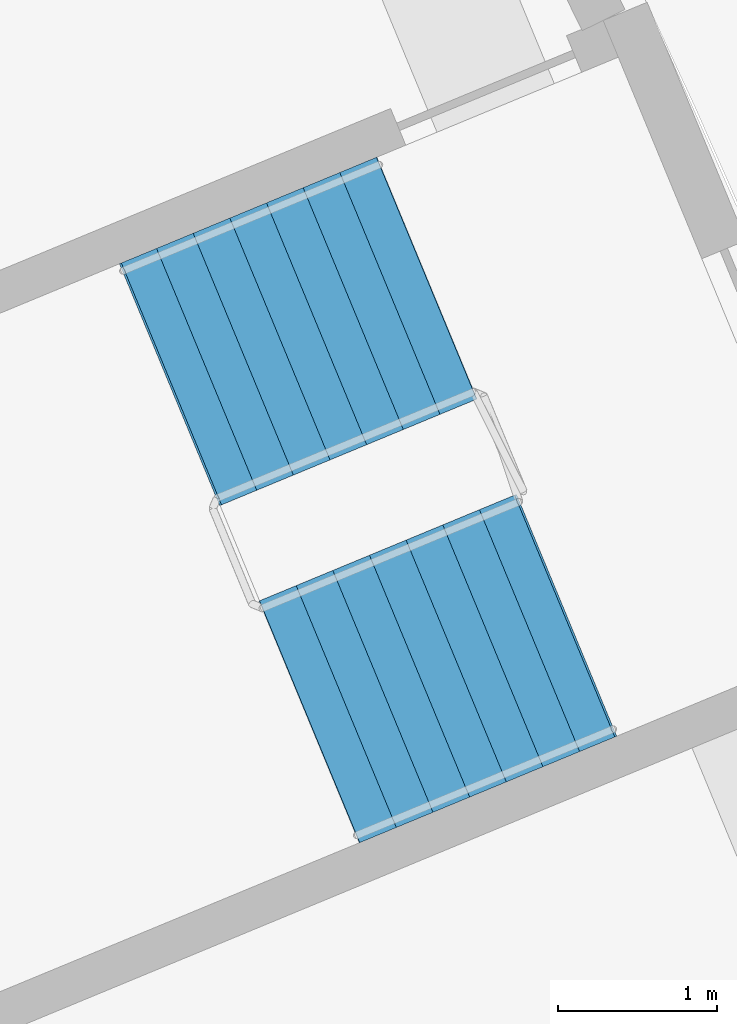
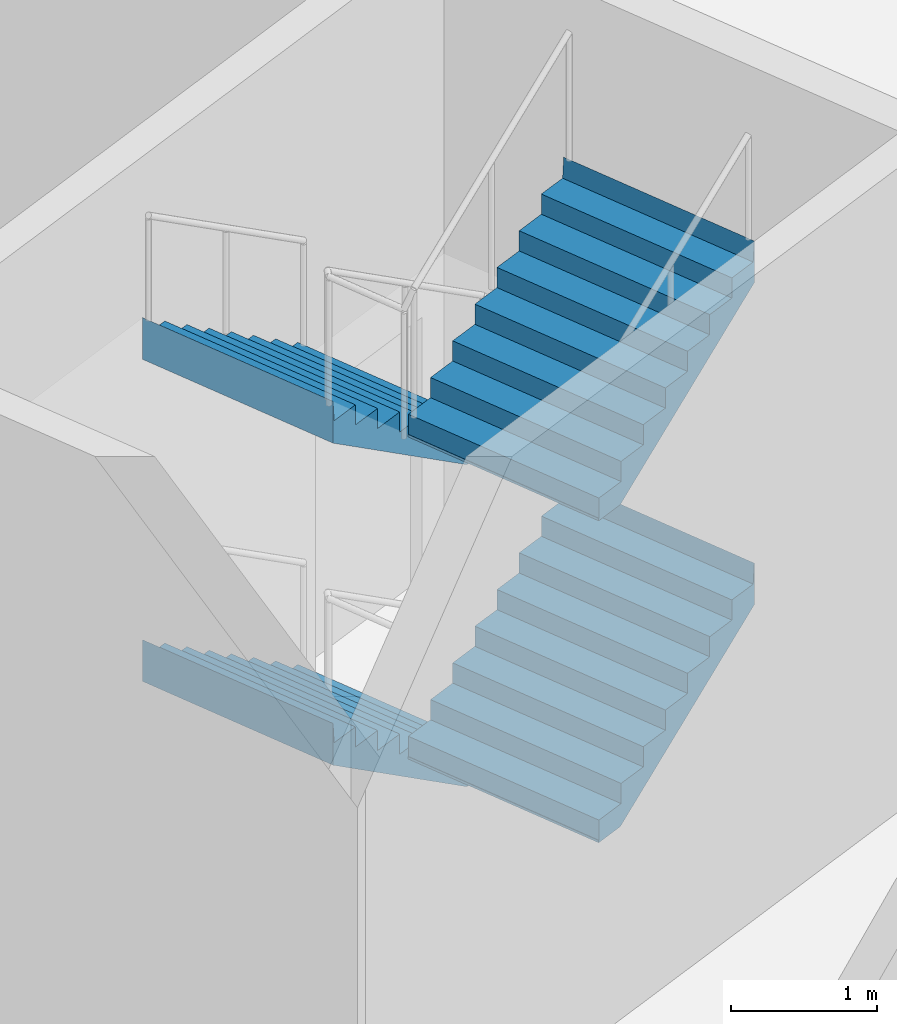
# One storey, part 37 of 41: 4 stair flights, 1 element without a shape of its own.
"""IFC4 building model written with IfcOpenShell, lengths in metres."""

from ifc_helpers import new_model, si_unit, direction, frame, origin, place, context, subcontext, project, spatial, triangles, material, type_object, element, aggregate, save


model = new_model("IFC4")

# Units and contexts
model_context = context("Model", 3, precision=1e-05, world=origin(), true_north=direction((0.0, 1.0)))
body_context = subcontext(model_context, "Body", "Model", "MODEL_VIEW")
ifc_project = project(units=[si_unit("LENGTHUNIT", "METRE"), si_unit("AREAUNIT", "SQUARE_METRE"), si_unit("VOLUMEUNIT", "CUBIC_METRE"), si_unit("PLANEANGLEUNIT", "RADIAN"), si_unit("MASSUNIT", "GRAM", prefix="KILO")], contexts=[model_context])

# Site, building, storey
site_placement = place(None, origin())
site = spatial("IfcSite", under=ifc_project, at=site_placement, CompositionType="ELEMENT")
building_placement = place(site_placement, origin())
building = spatial("IfcBuilding", under=site, at=building_placement, Name="Maasbend Ring Residences", CompositionType="ELEMENT")
storey_placement = place(building_placement, origin())
storey = spatial("IfcBuildingStorey", under=building, at=storey_placement, Name="L00", CompositionType="ELEMENT", Elevation=0.0)

# Stair, stair flights
ifc_material_1 = material(Name="Concrete C40/50", Category="concrete")
stair_type = type_object("IfcStairType", Name="CORE STAIR 32 RISERS", PredefinedType="HALF_TURN_STAIR", material=ifc_material_1)
stair_placement = place(storey_placement, origin())
stair = element("IfcStair", 1, at=stair_placement, inside=storey, type_object=stair_type, Name="L00 Exit stair ST-P5", PredefinedType="HALF_TURN_STAIR")
ifc_material_2 = material(Name="Concrete C40/50", Category="concrete")
stair_flight_type = type_object("IfcStairFlightType", Name="CORE STAIR FLIGHT 1650", PredefinedType="STRAIGHT", material=ifc_material_2)
stair_flight_1_placement = place(storey_placement, frame((40.210693359375, 17.900634765625, 0.0), z_axis=(0.0, 0.0, 1.0), x_axis=(-0.923879532511, -0.382683432365, 0.0)))
stair_flight_1 = element("IfcStairFlight", 2, at=stair_flight_1_placement, type_object=stair_flight_type, Name="ST-P5 flight 1", NumberOfRisers=8, NumberOfTreads=7, PredefinedType="STRAIGHT", RiserHeight=0.16875, TreadLength=0.25, context=body_context, shape_type="Tessellation", body=[
    triangles([(0.2412109375, 0.824951171875, -0.02001953125), (1.7529296875, 0.824951171875, 1.00048828125), (1.7529296875, 0.824951171875, 1.35009765625), (1.739990234375, 0.824951171875, 1.18115234375), (1.5, 0.824951171875, 1.18115234375), (1.5, 0.824951171875, 1.012451171875), (1.25, 0.824951171875, 1.012451171875), (1.25, 0.824951171875, 0.84375), (1.0, 0.824951171875, 0.84375), (1.0, 0.824951171875, 0.675048828125), (0.75, 0.824951171875, 0.675048828125), (0.75, 0.824951171875, 0.50634765625), (0.5, 0.824951171875, 0.50634765625), (0.5, 0.824951171875, 0.33740234375), (0.25, 0.824951171875, 0.33740234375), (0.25, 0.824951171875, 0.168701171875), (0.0, 0.824951171875, 0.168701171875), (0.0, 0.824951171875, 0.0), (-0.0029296875, 0.824951171875, 0.0), (-0.0029296875, 0.824951171875, -0.02001953125), (0.2412109375, 0.41259765625, -0.02001953125), (1.7529296875, 0.41259765625, 1.00048828125), (1.7529296875, 0.41259765625, 1.35009765625), (1.739990234375, 0.41259765625, 1.18115234375), (1.5, 0.41259765625, 1.18115234375), (1.5, 0.41259765625, 1.012451171875), (1.25, 0.41259765625, 1.012451171875), (1.25, 0.41259765625, 0.84375), (1.0, 0.41259765625, 0.84375), (1.0, 0.41259765625, 0.675048828125), (0.75, 0.41259765625, 0.675048828125), (0.75, 0.41259765625, 0.50634765625), (0.5, 0.41259765625, 0.50634765625), (0.5, 0.41259765625, 0.33740234375), (0.25, 0.41259765625, 0.33740234375), (0.25, 0.41259765625, 0.168701171875), (0.0, 0.41259765625, 0.168701171875), (0.0, 0.41259765625, 0.0), (-0.0029296875, 0.41259765625, 0.0), (-0.0029296875, 0.41259765625, -0.02001953125), (0.2412109375, 0.0, -0.02001953125), (1.7529296875, 0.0, 1.00048828125), (1.7529296875, 0.0, 1.35009765625), (1.739990234375, 0.0, 1.18115234375), (1.5, 0.0, 1.18115234375), (1.5, 0.0, 1.012451171875), (1.25, 0.0, 1.012451171875), (1.25, 0.0, 0.84375), (1.0, 0.0, 0.84375), (1.0, 0.0, 0.675048828125), (0.75, 0.0, 0.675048828125), (0.75, 0.0, 0.50634765625), (0.5, 0.0, 0.50634765625), (0.5, 0.0, 0.33740234375), (0.25, 0.0, 0.33740234375), (0.25, 0.0, 0.168701171875), (0.0, 0.0, 0.168701171875), (0.0, 0.0, 0.0), (-0.0029296875, 0.0, 0.0), (-0.0029296875, 0.0, -0.02001953125), (0.2412109375, -0.41259765625, -0.02001953125), (1.7529296875, -0.41259765625, 1.00048828125), (1.7529296875, -0.41259765625, 1.35009765625), (1.739990234375, -0.41259765625, 1.18115234375), (1.5, -0.41259765625, 1.18115234375), (1.5, -0.41259765625, 1.012451171875), (1.25, -0.41259765625, 1.012451171875), (1.25, -0.41259765625, 0.84375), (1.0, -0.41259765625, 0.84375), (1.0, -0.41259765625, 0.675048828125), (0.75, -0.41259765625, 0.675048828125), (0.75, -0.41259765625, 0.50634765625), (0.5, -0.41259765625, 0.50634765625), (0.5, -0.41259765625, 0.33740234375), (0.25, -0.41259765625, 0.33740234375), (0.25, -0.41259765625, 0.168701171875), (0.0, -0.41259765625, 0.168701171875), (0.0, -0.41259765625, 0.0), (-0.0029296875, -0.41259765625, 0.0), (-0.0029296875, -0.41259765625, -0.02001953125), (0.2412109375, -0.824951171875, -0.02001953125), (1.7529296875, -0.824951171875, 1.00048828125), (1.7529296875, -0.824951171875, 1.35009765625), (1.739990234375, -0.824951171875, 1.18115234375), (1.5, -0.824951171875, 1.18115234375), (1.5, -0.824951171875, 1.012451171875), (1.25, -0.824951171875, 1.012451171875), (1.25, -0.824951171875, 0.84375), (1.0, -0.824951171875, 0.84375), (1.0, -0.824951171875, 0.675048828125), (0.75, -0.824951171875, 0.675048828125), (0.75, -0.824951171875, 0.50634765625), (0.5, -0.824951171875, 0.50634765625), (0.5, -0.824951171875, 0.33740234375), (0.25, -0.824951171875, 0.33740234375), (0.25, -0.824951171875, 0.168701171875), (0.0, -0.824951171875, 0.168701171875), (0.0, -0.824951171875, 0.0), (-0.0029296875, -0.824951171875, 0.0), (-0.0029296875, -0.824951171875, -0.02001953125)], [[1, 2, 22], [1, 22, 21], [21, 22, 42], [21, 42, 41], [41, 42, 62], [41, 62, 61], [61, 62, 82], [61, 82, 81], [2, 3, 23], [2, 23, 22], [22, 23, 43], [22, 43, 42], [42, 43, 63], [42, 63, 62], [62, 63, 83], [62, 83, 82], [3, 4, 24], [3, 24, 23], [23, 24, 44], [23, 44, 43], [43, 44, 64], [43, 64, 63], [63, 64, 84], [63, 84, 83], [4, 5, 25], [4, 25, 24], [24, 25, 45], [24, 45, 44], [44, 45, 65], [44, 65, 64], [64, 65, 85], [64, 85, 84], [5, 6, 26], [5, 26, 25], [25, 26, 46], [25, 46, 45], [45, 46, 66], [45, 66, 65], [65, 66, 86], [65, 86, 85], [6, 7, 27], [6, 27, 26], [26, 27, 47], [26, 47, 46], [46, 47, 67], [46, 67, 66], [66, 67, 87], [66, 87, 86], [7, 8, 28], [7, 28, 27], [27, 28, 48], [27, 48, 47], [47, 48, 68], [47, 68, 67], [67, 68, 88], [67, 88, 87], [8, 9, 29], [8, 29, 28], [28, 29, 49], [28, 49, 48], [48, 49, 69], [48, 69, 68], [68, 69, 89], [68, 89, 88], [9, 10, 30], [9, 30, 29], [29, 30, 50], [29, 50, 49], [49, 50, 70], [49, 70, 69], [69, 70, 90], [69, 90, 89], [10, 11, 31], [10, 31, 30], [30, 31, 51], [30, 51, 50], [50, 51, 71], [50, 71, 70], [70, 71, 91], [70, 91, 90], [11, 12, 32], [11, 32, 31], [31, 32, 52], [31, 52, 51], [51, 52, 72], [51, 72, 71], [71, 72, 92], [71, 92, 91], [12, 13, 33], [12, 33, 32], [32, 33, 53], [32, 53, 52], [52, 53, 73], [52, 73, 72], [72, 73, 93], [72, 93, 92], [13, 14, 34], [13, 34, 33], [33, 34, 54], [33, 54, 53], [53, 54, 74], [53, 74, 73], [73, 74, 94], [73, 94, 93], [14, 15, 35], [14, 35, 34], [34, 35, 55], [34, 55, 54], [54, 55, 75], [54, 75, 74], [74, 75, 95], [74, 95, 94], [15, 16, 36], [15, 36, 35], [35, 36, 56], [35, 56, 55], [55, 56, 76], [55, 76, 75], [75, 76, 96], [75, 96, 95], [16, 17, 37], [16, 37, 36], [36, 37, 57], [36, 57, 56], [56, 57, 77], [56, 77, 76], [76, 77, 97], [76, 97, 96], [17, 18, 38], [17, 38, 37], [37, 38, 58], [37, 58, 57], [57, 58, 78], [57, 78, 77], [77, 78, 98], [77, 98, 97], [18, 19, 39], [18, 39, 38], [38, 39, 59], [38, 59, 58], [58, 59, 79], [58, 79, 78], [78, 79, 99], [78, 99, 98], [19, 20, 40], [19, 40, 39], [39, 40, 60], [39, 60, 59], [59, 60, 80], [59, 80, 79], [79, 80, 100], [79, 100, 99], [20, 1, 21], [20, 21, 40], [40, 21, 41], [40, 41, 60], [60, 41, 61], [60, 61, 80], [80, 61, 81], [80, 81, 100], [20, 2, 1], [2, 4, 3], [2, 5, 4], [2, 6, 5], [20, 6, 2], [6, 8, 7], [20, 8, 6], [8, 10, 9], [20, 10, 8], [10, 12, 11], [20, 12, 10], [12, 14, 13], [20, 14, 12], [14, 16, 15], [20, 16, 14], [16, 18, 17], [20, 18, 16], [18, 20, 19], [100, 81, 82], [82, 83, 84], [82, 84, 85], [82, 85, 86], [100, 82, 86], [86, 87, 88], [100, 86, 88], [88, 89, 90], [100, 88, 90], [90, 91, 92], [100, 90, 92], [92, 93, 94], [100, 92, 94], [94, 95, 96], [100, 94, 96], [96, 97, 98], [100, 96, 98], [98, 99, 100]], closed=True),
])
stair_flight_2_placement = place(storey_placement, frame((39.473876953125, 15.10595703125, 1.35009765625), z_axis=(0.0, 0.0, 1.0), x_axis=(0.923879532511, 0.382683432365, 0.0)))
stair_flight_2 = element("IfcStairFlight", 3, at=stair_flight_2_placement, type_object=stair_flight_type, Name="ST-P5 flight 2", NumberOfRisers=8, NumberOfTreads=7, PredefinedType="STRAIGHT", RiserHeight=0.16875, TreadLength=0.25, context=body_context, shape_type="Tessellation", body=[
    triangles([(0.2412109375, 0.824951171875, -0.02001953125), (1.7529296875, 0.824951171875, 1.00048828125), (1.7529296875, 0.824951171875, 1.35009765625), (1.739990234375, 0.824951171875, 1.18115234375), (1.5, 0.824951171875, 1.18115234375), (1.5, 0.824951171875, 1.012451171875), (1.25, 0.824951171875, 1.012451171875), (1.25, 0.824951171875, 0.84375), (1.0, 0.824951171875, 0.84375), (1.0, 0.824951171875, 0.675048828125), (0.75, 0.824951171875, 0.675048828125), (0.75, 0.824951171875, 0.50634765625), (0.5, 0.824951171875, 0.50634765625), (0.5, 0.824951171875, 0.33740234375), (0.25, 0.824951171875, 0.33740234375), (0.25, 0.824951171875, 0.168701171875), (0.0, 0.824951171875, 0.168701171875), (0.0, 0.824951171875, 0.0), (-0.0029296875, 0.824951171875, 0.0), (-0.0029296875, 0.824951171875, -0.02001953125), (0.2412109375, 0.41259765625, -0.02001953125), (1.7529296875, 0.41259765625, 1.00048828125), (1.7529296875, 0.41259765625, 1.35009765625), (1.739990234375, 0.41259765625, 1.18115234375), (1.5, 0.41259765625, 1.18115234375), (1.5, 0.41259765625, 1.012451171875), (1.25, 0.41259765625, 1.012451171875), (1.25, 0.41259765625, 0.84375), (1.0, 0.41259765625, 0.84375), (1.0, 0.41259765625, 0.675048828125), (0.75, 0.41259765625, 0.675048828125), (0.75, 0.41259765625, 0.50634765625), (0.5, 0.41259765625, 0.50634765625), (0.5, 0.41259765625, 0.33740234375), (0.25, 0.41259765625, 0.33740234375), (0.25, 0.41259765625, 0.168701171875), (0.0, 0.41259765625, 0.168701171875), (0.0, 0.41259765625, 0.0), (-0.0029296875, 0.41259765625, 0.0), (-0.0029296875, 0.41259765625, -0.02001953125), (0.2412109375, 0.0, -0.02001953125), (1.7529296875, 0.0, 1.00048828125), (1.7529296875, 0.0, 1.35009765625), (1.739990234375, 0.0, 1.18115234375), (1.5, 0.0, 1.18115234375), (1.5, 0.0, 1.012451171875), (1.25, 0.0, 1.012451171875), (1.25, 0.0, 0.84375), (1.0, 0.0, 0.84375), (1.0, 0.0, 0.675048828125), (0.75, 0.0, 0.675048828125), (0.75, 0.0, 0.50634765625), (0.5, 0.0, 0.50634765625), (0.5, 0.0, 0.33740234375), (0.25, 0.0, 0.33740234375), (0.25, 0.0, 0.168701171875), (0.0, 0.0, 0.168701171875), (0.0, 0.0, 0.0), (-0.0029296875, 0.0, 0.0), (-0.0029296875, 0.0, -0.02001953125), (0.2412109375, -0.41259765625, -0.02001953125), (1.7529296875, -0.41259765625, 1.00048828125), (1.7529296875, -0.41259765625, 1.35009765625), (1.739990234375, -0.41259765625, 1.18115234375), (1.5, -0.41259765625, 1.18115234375), (1.5, -0.41259765625, 1.012451171875), (1.25, -0.41259765625, 1.012451171875), (1.25, -0.41259765625, 0.84375), (1.0, -0.41259765625, 0.84375), (1.0, -0.41259765625, 0.675048828125), (0.75, -0.41259765625, 0.675048828125), (0.75, -0.41259765625, 0.50634765625), (0.5, -0.41259765625, 0.50634765625), (0.5, -0.41259765625, 0.33740234375), (0.25, -0.41259765625, 0.33740234375), (0.25, -0.41259765625, 0.168701171875), (0.0, -0.41259765625, 0.168701171875), (0.0, -0.41259765625, 0.0), (-0.0029296875, -0.41259765625, 0.0), (-0.0029296875, -0.41259765625, -0.02001953125), (0.2412109375, -0.824951171875, -0.02001953125), (1.7529296875, -0.824951171875, 1.00048828125), (1.7529296875, -0.824951171875, 1.35009765625), (1.739990234375, -0.824951171875, 1.18115234375), (1.5, -0.824951171875, 1.18115234375), (1.5, -0.824951171875, 1.012451171875), (1.25, -0.824951171875, 1.012451171875), (1.25, -0.824951171875, 0.84375), (1.0, -0.824951171875, 0.84375), (1.0, -0.824951171875, 0.675048828125), (0.75, -0.824951171875, 0.675048828125), (0.75, -0.824951171875, 0.50634765625), (0.5, -0.824951171875, 0.50634765625), (0.5, -0.824951171875, 0.33740234375), (0.25, -0.824951171875, 0.33740234375), (0.25, -0.824951171875, 0.168701171875), (0.0, -0.824951171875, 0.168701171875), (0.0, -0.824951171875, 0.0), (-0.0029296875, -0.824951171875, 0.0), (-0.0029296875, -0.824951171875, -0.02001953125)], [[1, 2, 22], [1, 22, 21], [21, 22, 42], [21, 42, 41], [41, 42, 62], [41, 62, 61], [61, 62, 82], [61, 82, 81], [2, 3, 23], [2, 23, 22], [22, 23, 43], [22, 43, 42], [42, 43, 63], [42, 63, 62], [62, 63, 83], [62, 83, 82], [3, 4, 24], [3, 24, 23], [23, 24, 44], [23, 44, 43], [43, 44, 64], [43, 64, 63], [63, 64, 84], [63, 84, 83], [4, 5, 25], [4, 25, 24], [24, 25, 45], [24, 45, 44], [44, 45, 65], [44, 65, 64], [64, 65, 85], [64, 85, 84], [5, 6, 26], [5, 26, 25], [25, 26, 46], [25, 46, 45], [45, 46, 66], [45, 66, 65], [65, 66, 86], [65, 86, 85], [6, 7, 27], [6, 27, 26], [26, 27, 47], [26, 47, 46], [46, 47, 67], [46, 67, 66], [66, 67, 87], [66, 87, 86], [7, 8, 28], [7, 28, 27], [27, 28, 48], [27, 48, 47], [47, 48, 68], [47, 68, 67], [67, 68, 88], [67, 88, 87], [8, 9, 29], [8, 29, 28], [28, 29, 49], [28, 49, 48], [48, 49, 69], [48, 69, 68], [68, 69, 89], [68, 89, 88], [9, 10, 30], [9, 30, 29], [29, 30, 50], [29, 50, 49], [49, 50, 70], [49, 70, 69], [69, 70, 90], [69, 90, 89], [10, 11, 31], [10, 31, 30], [30, 31, 51], [30, 51, 50], [50, 51, 71], [50, 71, 70], [70, 71, 91], [70, 91, 90], [11, 12, 32], [11, 32, 31], [31, 32, 52], [31, 52, 51], [51, 52, 72], [51, 72, 71], [71, 72, 92], [71, 92, 91], [12, 13, 33], [12, 33, 32], [32, 33, 53], [32, 53, 52], [52, 53, 73], [52, 73, 72], [72, 73, 93], [72, 93, 92], [13, 14, 34], [13, 34, 33], [33, 34, 54], [33, 54, 53], [53, 54, 74], [53, 74, 73], [73, 74, 94], [73, 94, 93], [14, 15, 35], [14, 35, 34], [34, 35, 55], [34, 55, 54], [54, 55, 75], [54, 75, 74], [74, 75, 95], [74, 95, 94], [15, 16, 36], [15, 36, 35], [35, 36, 56], [35, 56, 55], [55, 56, 76], [55, 76, 75], [75, 76, 96], [75, 96, 95], [16, 17, 37], [16, 37, 36], [36, 37, 57], [36, 57, 56], [56, 57, 77], [56, 77, 76], [76, 77, 97], [76, 97, 96], [17, 18, 38], [17, 38, 37], [37, 38, 58], [37, 58, 57], [57, 58, 78], [57, 78, 77], [77, 78, 98], [77, 98, 97], [18, 19, 39], [18, 39, 38], [38, 39, 59], [38, 59, 58], [58, 59, 79], [58, 79, 78], [78, 79, 99], [78, 99, 98], [19, 20, 40], [19, 40, 39], [39, 40, 60], [39, 60, 59], [59, 60, 80], [59, 80, 79], [79, 80, 100], [79, 100, 99], [20, 1, 21], [20, 21, 40], [40, 21, 41], [40, 41, 60], [60, 41, 61], [60, 61, 80], [80, 61, 81], [80, 81, 100], [20, 2, 1], [2, 4, 3], [2, 5, 4], [2, 6, 5], [20, 6, 2], [6, 8, 7], [20, 8, 6], [8, 10, 9], [20, 10, 8], [10, 12, 11], [20, 12, 10], [12, 14, 13], [20, 14, 12], [14, 16, 15], [20, 16, 14], [16, 18, 17], [20, 18, 16], [18, 20, 19], [100, 81, 82], [82, 83, 84], [82, 84, 85], [82, 85, 86], [100, 82, 86], [86, 87, 88], [100, 86, 88], [88, 89, 90], [100, 88, 90], [90, 91, 92], [100, 90, 92], [92, 93, 94], [100, 92, 94], [94, 95, 96], [100, 94, 96], [96, 97, 98], [100, 96, 98], [98, 99, 100]], closed=True),
])
stair_flight_3_placement = place(storey_placement, frame((40.210693359375, 17.900634765625, 2.699951171875), z_axis=(0.0, 0.0, 1.0), x_axis=(-0.923879532511, -0.382683432365, 0.0)))
stair_flight_3 = element("IfcStairFlight", 4, at=stair_flight_3_placement, type_object=stair_flight_type, Name="ST-P5 flight 3", NumberOfRisers=8, NumberOfTreads=7, PredefinedType="STRAIGHT", RiserHeight=0.16875, TreadLength=0.25, context=body_context, shape_type="Tessellation", body=[
    triangles([(0.2412109375, 0.824951171875, -0.02001953125), (1.7529296875, 0.824951171875, 1.00048828125), (1.7529296875, 0.824951171875, 1.35009765625), (1.739990234375, 0.824951171875, 1.18115234375), (1.5, 0.824951171875, 1.18115234375), (1.5, 0.824951171875, 1.012451171875), (1.25, 0.824951171875, 1.012451171875), (1.25, 0.824951171875, 0.84375), (1.0, 0.824951171875, 0.84375), (1.0, 0.824951171875, 0.675048828125), (0.75, 0.824951171875, 0.675048828125), (0.75, 0.824951171875, 0.50634765625), (0.5, 0.824951171875, 0.50634765625), (0.5, 0.824951171875, 0.33740234375), (0.25, 0.824951171875, 0.33740234375), (0.25, 0.824951171875, 0.168701171875), (0.0, 0.824951171875, 0.168701171875), (0.0, 0.824951171875, 0.0), (-0.0029296875, 0.824951171875, 0.0), (-0.0029296875, 0.824951171875, -0.02001953125), (0.2412109375, 0.41259765625, -0.02001953125), (1.7529296875, 0.41259765625, 1.00048828125), (1.7529296875, 0.41259765625, 1.35009765625), (1.739990234375, 0.41259765625, 1.18115234375), (1.5, 0.41259765625, 1.18115234375), (1.5, 0.41259765625, 1.012451171875), (1.25, 0.41259765625, 1.012451171875), (1.25, 0.41259765625, 0.84375), (1.0, 0.41259765625, 0.84375), (1.0, 0.41259765625, 0.675048828125), (0.75, 0.41259765625, 0.675048828125), (0.75, 0.41259765625, 0.50634765625), (0.5, 0.41259765625, 0.50634765625), (0.5, 0.41259765625, 0.33740234375), (0.25, 0.41259765625, 0.33740234375), (0.25, 0.41259765625, 0.168701171875), (0.0, 0.41259765625, 0.168701171875), (0.0, 0.41259765625, 0.0), (-0.0029296875, 0.41259765625, 0.0), (-0.0029296875, 0.41259765625, -0.02001953125), (0.2412109375, 0.0, -0.02001953125), (1.7529296875, 0.0, 1.00048828125), (1.7529296875, 0.0, 1.35009765625), (1.739990234375, 0.0, 1.18115234375), (1.5, 0.0, 1.18115234375), (1.5, 0.0, 1.012451171875), (1.25, 0.0, 1.012451171875), (1.25, 0.0, 0.84375), (1.0, 0.0, 0.84375), (1.0, 0.0, 0.675048828125), (0.75, 0.0, 0.675048828125), (0.75, 0.0, 0.50634765625), (0.5, 0.0, 0.50634765625), (0.5, 0.0, 0.33740234375), (0.25, 0.0, 0.33740234375), (0.25, 0.0, 0.168701171875), (0.0, 0.0, 0.168701171875), (0.0, 0.0, 0.0), (-0.0029296875, 0.0, 0.0), (-0.0029296875, 0.0, -0.02001953125), (0.2412109375, -0.41259765625, -0.02001953125), (1.7529296875, -0.41259765625, 1.00048828125), (1.7529296875, -0.41259765625, 1.35009765625), (1.739990234375, -0.41259765625, 1.18115234375), (1.5, -0.41259765625, 1.18115234375), (1.5, -0.41259765625, 1.012451171875), (1.25, -0.41259765625, 1.012451171875), (1.25, -0.41259765625, 0.84375), (1.0, -0.41259765625, 0.84375), (1.0, -0.41259765625, 0.675048828125), (0.75, -0.41259765625, 0.675048828125), (0.75, -0.41259765625, 0.50634765625), (0.5, -0.41259765625, 0.50634765625), (0.5, -0.41259765625, 0.33740234375), (0.25, -0.41259765625, 0.33740234375), (0.25, -0.41259765625, 0.168701171875), (0.0, -0.41259765625, 0.168701171875), (0.0, -0.41259765625, 0.0), (-0.0029296875, -0.41259765625, 0.0), (-0.0029296875, -0.41259765625, -0.02001953125), (0.2412109375, -0.824951171875, -0.02001953125), (1.7529296875, -0.824951171875, 1.00048828125), (1.7529296875, -0.824951171875, 1.35009765625), (1.739990234375, -0.824951171875, 1.18115234375), (1.5, -0.824951171875, 1.18115234375), (1.5, -0.824951171875, 1.012451171875), (1.25, -0.824951171875, 1.012451171875), (1.25, -0.824951171875, 0.84375), (1.0, -0.824951171875, 0.84375), (1.0, -0.824951171875, 0.675048828125), (0.75, -0.824951171875, 0.675048828125), (0.75, -0.824951171875, 0.50634765625), (0.5, -0.824951171875, 0.50634765625), (0.5, -0.824951171875, 0.33740234375), (0.25, -0.824951171875, 0.33740234375), (0.25, -0.824951171875, 0.168701171875), (0.0, -0.824951171875, 0.168701171875), (0.0, -0.824951171875, 0.0), (-0.0029296875, -0.824951171875, 0.0), (-0.0029296875, -0.824951171875, -0.02001953125)], [[1, 2, 22], [1, 22, 21], [21, 22, 42], [21, 42, 41], [41, 42, 62], [41, 62, 61], [61, 62, 82], [61, 82, 81], [2, 3, 23], [2, 23, 22], [22, 23, 43], [22, 43, 42], [42, 43, 63], [42, 63, 62], [62, 63, 83], [62, 83, 82], [3, 4, 24], [3, 24, 23], [23, 24, 44], [23, 44, 43], [43, 44, 64], [43, 64, 63], [63, 64, 84], [63, 84, 83], [4, 5, 25], [4, 25, 24], [24, 25, 45], [24, 45, 44], [44, 45, 65], [44, 65, 64], [64, 65, 85], [64, 85, 84], [5, 6, 26], [5, 26, 25], [25, 26, 46], [25, 46, 45], [45, 46, 66], [45, 66, 65], [65, 66, 86], [65, 86, 85], [6, 7, 27], [6, 27, 26], [26, 27, 47], [26, 47, 46], [46, 47, 67], [46, 67, 66], [66, 67, 87], [66, 87, 86], [7, 8, 28], [7, 28, 27], [27, 28, 48], [27, 48, 47], [47, 48, 68], [47, 68, 67], [67, 68, 88], [67, 88, 87], [8, 9, 29], [8, 29, 28], [28, 29, 49], [28, 49, 48], [48, 49, 69], [48, 69, 68], [68, 69, 89], [68, 89, 88], [9, 10, 30], [9, 30, 29], [29, 30, 50], [29, 50, 49], [49, 50, 70], [49, 70, 69], [69, 70, 90], [69, 90, 89], [10, 11, 31], [10, 31, 30], [30, 31, 51], [30, 51, 50], [50, 51, 71], [50, 71, 70], [70, 71, 91], [70, 91, 90], [11, 12, 32], [11, 32, 31], [31, 32, 52], [31, 52, 51], [51, 52, 72], [51, 72, 71], [71, 72, 92], [71, 92, 91], [12, 13, 33], [12, 33, 32], [32, 33, 53], [32, 53, 52], [52, 53, 73], [52, 73, 72], [72, 73, 93], [72, 93, 92], [13, 14, 34], [13, 34, 33], [33, 34, 54], [33, 54, 53], [53, 54, 74], [53, 74, 73], [73, 74, 94], [73, 94, 93], [14, 15, 35], [14, 35, 34], [34, 35, 55], [34, 55, 54], [54, 55, 75], [54, 75, 74], [74, 75, 95], [74, 95, 94], [15, 16, 36], [15, 36, 35], [35, 36, 56], [35, 56, 55], [55, 56, 76], [55, 76, 75], [75, 76, 96], [75, 96, 95], [16, 17, 37], [16, 37, 36], [36, 37, 57], [36, 57, 56], [56, 57, 77], [56, 77, 76], [76, 77, 97], [76, 97, 96], [17, 18, 38], [17, 38, 37], [37, 38, 58], [37, 58, 57], [57, 58, 78], [57, 78, 77], [77, 78, 98], [77, 98, 97], [18, 19, 39], [18, 39, 38], [38, 39, 59], [38, 59, 58], [58, 59, 79], [58, 79, 78], [78, 79, 99], [78, 99, 98], [19, 20, 40], [19, 40, 39], [39, 40, 60], [39, 60, 59], [59, 60, 80], [59, 80, 79], [79, 80, 100], [79, 100, 99], [20, 1, 21], [20, 21, 40], [40, 21, 41], [40, 41, 60], [60, 41, 61], [60, 61, 80], [80, 61, 81], [80, 81, 100], [20, 2, 1], [2, 4, 3], [2, 5, 4], [2, 6, 5], [20, 6, 2], [6, 8, 7], [20, 8, 6], [8, 10, 9], [20, 10, 8], [10, 12, 11], [20, 12, 10], [12, 14, 13], [20, 14, 12], [14, 16, 15], [20, 16, 14], [16, 18, 17], [20, 18, 16], [18, 20, 19], [100, 81, 82], [82, 83, 84], [82, 84, 85], [82, 85, 86], [100, 82, 86], [86, 87, 88], [100, 86, 88], [88, 89, 90], [100, 88, 90], [90, 91, 92], [100, 90, 92], [92, 93, 94], [100, 92, 94], [94, 95, 96], [100, 94, 96], [96, 97, 98], [100, 96, 98], [98, 99, 100]], closed=True),
])
stair_flight_4_placement = place(storey_placement, frame((39.473876953125, 15.10595703125, 4.050048828125), z_axis=(0.0, 0.0, 1.0), x_axis=(0.923879532511, 0.382683432365, 0.0)))
stair_flight_4 = element("IfcStairFlight", 5, at=stair_flight_4_placement, type_object=stair_flight_type, Name="ST-P5 flight 4", NumberOfRisers=8, NumberOfTreads=7, PredefinedType="STRAIGHT", RiserHeight=0.16875, TreadLength=0.25, context=body_context, shape_type="Tessellation", body=[
    triangles([(0.2412109375, 0.824951171875, -0.02001953125), (1.7529296875, 0.824951171875, 1.00048828125), (1.7529296875, 0.824951171875, 1.35009765625), (1.739990234375, 0.824951171875, 1.18115234375), (1.5, 0.824951171875, 1.18115234375), (1.5, 0.824951171875, 1.012451171875), (1.25, 0.824951171875, 1.012451171875), (1.25, 0.824951171875, 0.84375), (1.0, 0.824951171875, 0.84375), (1.0, 0.824951171875, 0.675048828125), (0.75, 0.824951171875, 0.675048828125), (0.75, 0.824951171875, 0.50634765625), (0.5, 0.824951171875, 0.50634765625), (0.5, 0.824951171875, 0.33740234375), (0.25, 0.824951171875, 0.33740234375), (0.25, 0.824951171875, 0.168701171875), (0.0, 0.824951171875, 0.168701171875), (0.0, 0.824951171875, 0.0), (-0.0029296875, 0.824951171875, 0.0), (-0.0029296875, 0.824951171875, -0.02001953125), (0.2412109375, 0.41259765625, -0.02001953125), (1.7529296875, 0.41259765625, 1.00048828125), (1.7529296875, 0.41259765625, 1.35009765625), (1.739990234375, 0.41259765625, 1.18115234375), (1.5, 0.41259765625, 1.18115234375), (1.5, 0.41259765625, 1.012451171875), (1.25, 0.41259765625, 1.012451171875), (1.25, 0.41259765625, 0.84375), (1.0, 0.41259765625, 0.84375), (1.0, 0.41259765625, 0.675048828125), (0.75, 0.41259765625, 0.675048828125), (0.75, 0.41259765625, 0.50634765625), (0.5, 0.41259765625, 0.50634765625), (0.5, 0.41259765625, 0.33740234375), (0.25, 0.41259765625, 0.33740234375), (0.25, 0.41259765625, 0.168701171875), (0.0, 0.41259765625, 0.168701171875), (0.0, 0.41259765625, 0.0), (-0.0029296875, 0.41259765625, 0.0), (-0.0029296875, 0.41259765625, -0.02001953125), (0.2412109375, 0.0, -0.02001953125), (1.7529296875, 0.0, 1.00048828125), (1.7529296875, 0.0, 1.35009765625), (1.739990234375, 0.0, 1.18115234375), (1.5, 0.0, 1.18115234375), (1.5, 0.0, 1.012451171875), (1.25, 0.0, 1.012451171875), (1.25, 0.0, 0.84375), (1.0, 0.0, 0.84375), (1.0, 0.0, 0.675048828125), (0.75, 0.0, 0.675048828125), (0.75, 0.0, 0.50634765625), (0.5, 0.0, 0.50634765625), (0.5, 0.0, 0.33740234375), (0.25, 0.0, 0.33740234375), (0.25, 0.0, 0.168701171875), (0.0, 0.0, 0.168701171875), (0.0, 0.0, 0.0), (-0.0029296875, 0.0, 0.0), (-0.0029296875, 0.0, -0.02001953125), (0.2412109375, -0.41259765625, -0.02001953125), (1.7529296875, -0.41259765625, 1.00048828125), (1.7529296875, -0.41259765625, 1.35009765625), (1.739990234375, -0.41259765625, 1.18115234375), (1.5, -0.41259765625, 1.18115234375), (1.5, -0.41259765625, 1.012451171875), (1.25, -0.41259765625, 1.012451171875), (1.25, -0.41259765625, 0.84375), (1.0, -0.41259765625, 0.84375), (1.0, -0.41259765625, 0.675048828125), (0.75, -0.41259765625, 0.675048828125), (0.75, -0.41259765625, 0.50634765625), (0.5, -0.41259765625, 0.50634765625), (0.5, -0.41259765625, 0.33740234375), (0.25, -0.41259765625, 0.33740234375), (0.25, -0.41259765625, 0.168701171875), (0.0, -0.41259765625, 0.168701171875), (0.0, -0.41259765625, 0.0), (-0.0029296875, -0.41259765625, 0.0), (-0.0029296875, -0.41259765625, -0.02001953125), (0.2412109375, -0.824951171875, -0.02001953125), (1.7529296875, -0.824951171875, 1.00048828125), (1.7529296875, -0.824951171875, 1.35009765625), (1.739990234375, -0.824951171875, 1.18115234375), (1.5, -0.824951171875, 1.18115234375), (1.5, -0.824951171875, 1.012451171875), (1.25, -0.824951171875, 1.012451171875), (1.25, -0.824951171875, 0.84375), (1.0, -0.824951171875, 0.84375), (1.0, -0.824951171875, 0.675048828125), (0.75, -0.824951171875, 0.675048828125), (0.75, -0.824951171875, 0.50634765625), (0.5, -0.824951171875, 0.50634765625), (0.5, -0.824951171875, 0.33740234375), (0.25, -0.824951171875, 0.33740234375), (0.25, -0.824951171875, 0.168701171875), (0.0, -0.824951171875, 0.168701171875), (0.0, -0.824951171875, 0.0), (-0.0029296875, -0.824951171875, 0.0), (-0.0029296875, -0.824951171875, -0.02001953125)], [[1, 2, 22], [1, 22, 21], [21, 22, 42], [21, 42, 41], [41, 42, 62], [41, 62, 61], [61, 62, 82], [61, 82, 81], [2, 3, 23], [2, 23, 22], [22, 23, 43], [22, 43, 42], [42, 43, 63], [42, 63, 62], [62, 63, 83], [62, 83, 82], [3, 4, 24], [3, 24, 23], [23, 24, 44], [23, 44, 43], [43, 44, 64], [43, 64, 63], [63, 64, 84], [63, 84, 83], [4, 5, 25], [4, 25, 24], [24, 25, 45], [24, 45, 44], [44, 45, 65], [44, 65, 64], [64, 65, 85], [64, 85, 84], [5, 6, 26], [5, 26, 25], [25, 26, 46], [25, 46, 45], [45, 46, 66], [45, 66, 65], [65, 66, 86], [65, 86, 85], [6, 7, 27], [6, 27, 26], [26, 27, 47], [26, 47, 46], [46, 47, 67], [46, 67, 66], [66, 67, 87], [66, 87, 86], [7, 8, 28], [7, 28, 27], [27, 28, 48], [27, 48, 47], [47, 48, 68], [47, 68, 67], [67, 68, 88], [67, 88, 87], [8, 9, 29], [8, 29, 28], [28, 29, 49], [28, 49, 48], [48, 49, 69], [48, 69, 68], [68, 69, 89], [68, 89, 88], [9, 10, 30], [9, 30, 29], [29, 30, 50], [29, 50, 49], [49, 50, 70], [49, 70, 69], [69, 70, 90], [69, 90, 89], [10, 11, 31], [10, 31, 30], [30, 31, 51], [30, 51, 50], [50, 51, 71], [50, 71, 70], [70, 71, 91], [70, 91, 90], [11, 12, 32], [11, 32, 31], [31, 32, 52], [31, 52, 51], [51, 52, 72], [51, 72, 71], [71, 72, 92], [71, 92, 91], [12, 13, 33], [12, 33, 32], [32, 33, 53], [32, 53, 52], [52, 53, 73], [52, 73, 72], [72, 73, 93], [72, 93, 92], [13, 14, 34], [13, 34, 33], [33, 34, 54], [33, 54, 53], [53, 54, 74], [53, 74, 73], [73, 74, 94], [73, 94, 93], [14, 15, 35], [14, 35, 34], [34, 35, 55], [34, 55, 54], [54, 55, 75], [54, 75, 74], [74, 75, 95], [74, 95, 94], [15, 16, 36], [15, 36, 35], [35, 36, 56], [35, 56, 55], [55, 56, 76], [55, 76, 75], [75, 76, 96], [75, 96, 95], [16, 17, 37], [16, 37, 36], [36, 37, 57], [36, 57, 56], [56, 57, 77], [56, 77, 76], [76, 77, 97], [76, 97, 96], [17, 18, 38], [17, 38, 37], [37, 38, 58], [37, 58, 57], [57, 58, 78], [57, 78, 77], [77, 78, 98], [77, 98, 97], [18, 19, 39], [18, 39, 38], [38, 39, 59], [38, 59, 58], [58, 59, 79], [58, 79, 78], [78, 79, 99], [78, 99, 98], [19, 20, 40], [19, 40, 39], [39, 40, 60], [39, 60, 59], [59, 60, 80], [59, 80, 79], [79, 80, 100], [79, 100, 99], [20, 1, 21], [20, 21, 40], [40, 21, 41], [40, 41, 60], [60, 41, 61], [60, 61, 80], [80, 61, 81], [80, 81, 100], [20, 2, 1], [2, 4, 3], [2, 5, 4], [2, 6, 5], [20, 6, 2], [6, 8, 7], [20, 8, 6], [8, 10, 9], [20, 10, 8], [10, 12, 11], [20, 12, 10], [12, 14, 13], [20, 14, 12], [14, 16, 15], [20, 16, 14], [16, 18, 17], [20, 18, 16], [18, 20, 19], [100, 81, 82], [82, 83, 84], [82, 84, 85], [82, 85, 86], [100, 82, 86], [86, 87, 88], [100, 86, 88], [88, 89, 90], [100, 88, 90], [90, 91, 92], [100, 90, 92], [92, 93, 94], [100, 92, 94], [94, 95, 96], [100, 94, 96], [96, 97, 98], [100, 96, 98], [98, 99, 100]], closed=True),
])
aggregate(stair, [stair_flight_1, stair_flight_2, stair_flight_3, stair_flight_4])

save(model, "model.ifc")
